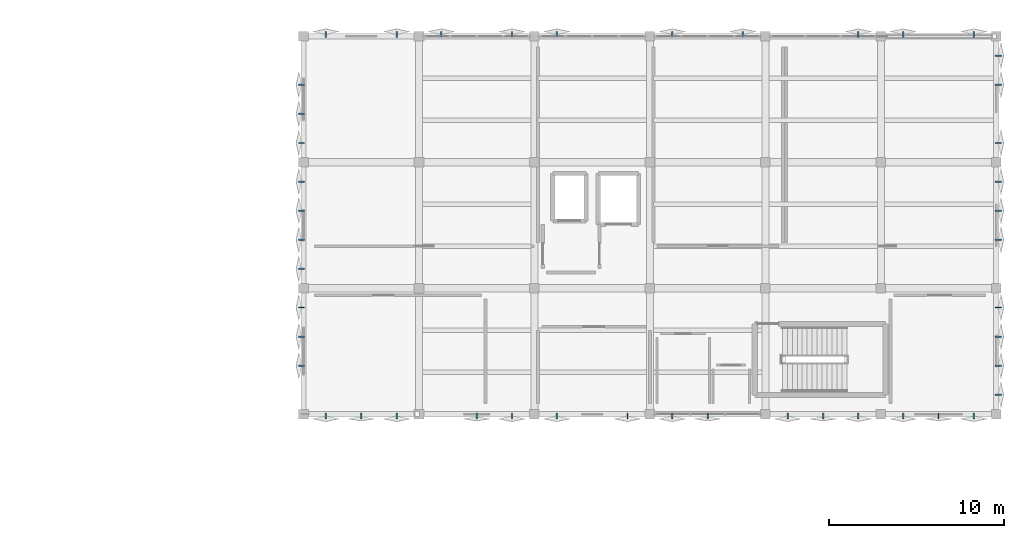
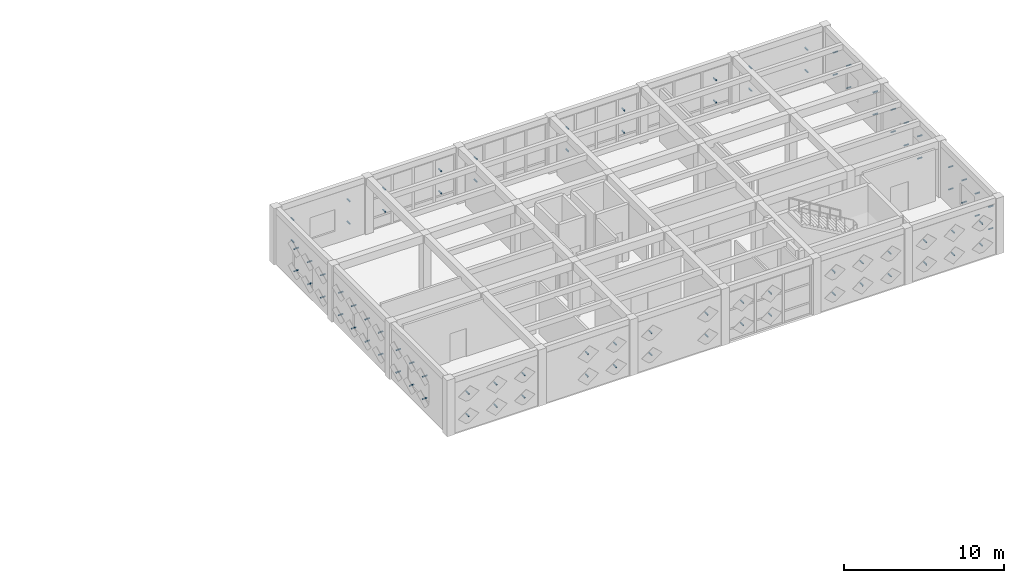
# One storey, part 33 of 36: 90 discrete accessories.
"""IFC4 building model written with IfcOpenShell, lengths in metres."""

from ifc_helpers import new_model, si_unit, direction, frame, origin, origin_2d, place, context, subcontext, project, spatial, hollow_rectangle, extrude, material, type_object, element, save


model = new_model("IFC4")

# Units and contexts
model_context = context("Model", 3, precision=1e-05, world=origin(), true_north=direction((0.0, 1.0)))
body_context = subcontext(model_context, "Body", "Model", "MODEL_VIEW")
ifc_project = project(units=[si_unit("LENGTHUNIT", "METRE"), si_unit("AREAUNIT", "SQUARE_METRE"), si_unit("VOLUMEUNIT", "CUBIC_METRE"), si_unit("PLANEANGLEUNIT", "RADIAN"), si_unit("MASSUNIT", "GRAM", prefix="KILO")], contexts=[model_context])

# Site, building, storey
site_placement = place(None, origin())
site = spatial("IfcSite", under=ifc_project, at=site_placement, CompositionType="ELEMENT")
building_placement = place(site_placement, origin())
building = spatial("IfcBuilding", under=site, at=building_placement, Name="Kharisveld Research Institute", CompositionType="ELEMENT")
storey_placement = place(building_placement, frame((0.0, 0.0, 27.60009765625)))
storey = spatial("IfcBuildingStorey", under=building, at=storey_placement, Name="L06", CompositionType="ELEMENT", Elevation=27.60009765625)

# Discrete accessories
ifc_material = material(Name="Steel S355JR", Category="steel")
discrete_accessory_type = type_object("IfcDiscreteAccessoryType", Name="BKT_ST_260", PredefinedType="BRACKET")
for number, where, z_axis, x_axis, name in (
    (1, (121.260009765625, 41.967529296875, 1.0498046875), (-1.0, 0.0, 0.0), (0.0, -1.0, 0.0), "BKT-SHD:V2:L06:W0:S1C0"),
    (2, (121.260009765625, 41.967529296875, 2.75), (-1.0, 0.0, 0.0), (0.0, -1.0, 0.0), "BKT-SHD:V2:L06:W0:S1C1"),
    (3, (121.260009765625, 43.632568359375, 1.0498046875), (-1.0, 0.0, 0.0), (0.0, -1.0, 0.0), "BKT-SHD:V2:L06:W0:S2C0"),
    (4, (121.260009765625, 43.632568359375, 2.75), (-1.0, 0.0, 0.0), (0.0, -1.0, 0.0), "BKT-SHD:V2:L06:W0:S2C1"),
    (5, (121.260009765625, 45.297607421875, 1.0498046875), (-1.0, 0.0, 0.0), (0.0, -1.0, 0.0), "BKT-SHD:V2:L06:W0:S3C0"),
    (6, (121.260009765625, 45.297607421875, 2.75), (-1.0, 0.0, 0.0), (0.0, -1.0, 0.0), "BKT-SHD:V2:L06:W0:S3C1"),
    (7, (121.260009765625, 47.50244140625, 1.0498046875), (-1.0, 0.0, 0.0), (0.0, -1.0, 0.0), "BKT-SHD:V2:L06:W1:S0C0"),
    (8, (121.260009765625, 47.50244140625, 2.75), (-1.0, 0.0, 0.0), (0.0, -1.0, 0.0), "BKT-SHD:V2:L06:W1:S0C1"),
    (9, (121.260009765625, 49.16748046875, 1.0498046875), (-1.0, 0.0, 0.0), (0.0, -1.0, 0.0), "BKT-SHD:V2:L06:W1:S1C0"),
    (10, (121.260009765625, 49.16748046875, 2.75), (-1.0, 0.0, 0.0), (0.0, -1.0, 0.0), "BKT-SHD:V2:L06:W1:S1C1"),
    (11, (121.260009765625, 50.83251953125, 1.0498046875), (-1.0, 0.0, 0.0), (0.0, -1.0, 0.0), "BKT-SHD:V2:L06:W1:S2C0"),
    (12, (121.260009765625, 50.83251953125, 2.75), (-1.0, 0.0, 0.0), (0.0, -1.0, 0.0), "BKT-SHD:V2:L06:W1:S2C1"),
    (13, (121.260009765625, 52.49755859375, 1.0498046875), (-1.0, 0.0, 0.0), (0.0, -1.0, 0.0), "BKT-SHD:V2:L06:W1:S3C0"),
    (14, (121.260009765625, 52.49755859375, 2.75), (-1.0, 0.0, 0.0), (0.0, -1.0, 0.0), "BKT-SHD:V2:L06:W1:S3C1"),
    (15, (121.260009765625, 54.702392578125, 1.0498046875), (-1.0, 0.0, 0.0), (0.0, -1.0, 0.0), "BKT-SHD:V2:L06:W2:S0C0"),
    (16, (121.260009765625, 54.702392578125, 2.75), (-1.0, 0.0, 0.0), (0.0, -1.0, 0.0), "BKT-SHD:V2:L06:W2:S0C1"),
    (17, (121.260009765625, 56.367431640625, 1.0498046875), (-1.0, 0.0, 0.0), (0.0, -1.0, 0.0), "BKT-SHD:V2:L06:W2:S1C0"),
    (18, (121.260009765625, 56.367431640625, 2.75), (-1.0, 0.0, 0.0), (0.0, -1.0, 0.0), "BKT-SHD:V2:L06:W2:S1C1"),
    (19, (121.260009765625, 58.032470703125, 1.0498046875), (-1.0, 0.0, 0.0), (0.0, -1.0, 0.0), "BKT-SHD:V2:L06:W2:S2C0"),
    (20, (121.260009765625, 58.032470703125, 2.75), (-1.0, 0.0, 0.0), (0.0, -1.0, 0.0), "BKT-SHD:V2:L06:W2:S2C1"),
    (21, (122.47998046875, 60.739990234375, 1.0498046875), (0.0, 1.0, 0.0), (-1.0, 0.0, 0.0), "BKT-SHD:V2:L06:N1:S0C0"),
    (22, (122.47998046875, 60.739990234375, 2.75), (0.0, 1.0, 0.0), (-1.0, 0.0, 0.0), "BKT-SHD:V2:L06:N1:S0C1"),
    (23, (126.52001953125, 60.739990234375, 1.0498046875), (0.0, 1.0, 0.0), (-1.0, 0.0, 0.0), "BKT-SHD:V2:L06:N1:S2C0"),
    (24, (126.52001953125, 60.739990234375, 2.75), (0.0, 1.0, 0.0), (-1.0, 0.0, 0.0), "BKT-SHD:V2:L06:N1:S2C1"),
    (25, (129.080078125, 60.739990234375, 1.0498046875), (0.0, 1.0, 0.0), (-1.0, 0.0, 0.0), "BKT-SHD:V2:L06:N2:S0C0"),
    (26, (129.080078125, 60.739990234375, 2.75), (0.0, 1.0, 0.0), (-1.0, 0.0, 0.0), "BKT-SHD:V2:L06:N2:S0C1"),
    (27, (133.1201171875, 60.739990234375, 1.0498046875), (0.0, 1.0, 0.0), (-1.0, 0.0, 0.0), "BKT-SHD:V2:L06:N2:S2C0"),
    (28, (133.1201171875, 60.739990234375, 2.75), (0.0, 1.0, 0.0), (-1.0, 0.0, 0.0), "BKT-SHD:V2:L06:N2:S2C1"),
    (29, (135.679931640625, 60.739990234375, 1.0498046875), (0.0, 1.0, 0.0), (-1.0, 0.0, 0.0), "BKT-SHD:V2:L06:N3:S0C0"),
    (30, (135.679931640625, 60.739990234375, 2.75), (0.0, 1.0, 0.0), (-1.0, 0.0, 0.0), "BKT-SHD:V2:L06:N3:S0C1"),
    (31, (142.280029296875, 60.739990234375, 1.0498046875), (0.0, 1.0, 0.0), (-1.0, 0.0, 0.0), "BKT-SHD:V2:L06:N4:S0C0"),
    (32, (142.280029296875, 60.739990234375, 2.75), (0.0, 1.0, 0.0), (-1.0, 0.0, 0.0), "BKT-SHD:V2:L06:N4:S0C1"),
    (33, (146.320068359375, 60.739990234375, 1.0498046875), (0.0, 1.0, 0.0), (-1.0, 0.0, 0.0), "BKT-SHD:V2:L06:N4:S2C0"),
    (34, (146.320068359375, 60.739990234375, 2.75), (0.0, 1.0, 0.0), (-1.0, 0.0, 0.0), "BKT-SHD:V2:L06:N4:S2C1"),
    (35, (152.919921875, 60.739990234375, 1.0498046875), (0.0, 1.0, 0.0), (-1.0, 0.0, 0.0), "BKT-SHD:V2:L06:N5:S2C0"),
    (36, (152.919921875, 60.739990234375, 2.75), (0.0, 1.0, 0.0), (-1.0, 0.0, 0.0), "BKT-SHD:V2:L06:N5:S2C1"),
    (37, (155.47998046875, 60.739990234375, 1.0498046875), (0.0, 1.0, 0.0), (-1.0, 0.0, 0.0), "BKT-SHD:V2:L06:N6:S0C0"),
    (38, (155.47998046875, 60.739990234375, 2.75), (0.0, 1.0, 0.0), (-1.0, 0.0, 0.0), "BKT-SHD:V2:L06:N6:S0C1"),
    (39, (159.52001953125, 60.739990234375, 1.0498046875), (0.0, 1.0, 0.0), (-1.0, 0.0, 0.0), "BKT-SHD:V2:L06:N6:S2C0"),
    (40, (159.52001953125, 60.739990234375, 2.75), (0.0, 1.0, 0.0), (-1.0, 0.0, 0.0), "BKT-SHD:V2:L06:N6:S2C1"),
    (41, (160.739990234375, 59.697509765625, 1.0498046875), (1.0, 0.0, 0.0), (0.0, 1.0, 0.0), "BKT-SHD:V2:L06:E3:S0C0"),
    (42, (160.739990234375, 59.697509765625, 2.75), (1.0, 0.0, 0.0), (0.0, 1.0, 0.0), "BKT-SHD:V2:L06:E3:S0C1"),
    (43, (160.739990234375, 58.032470703125, 1.0498046875), (1.0, 0.0, 0.0), (0.0, 1.0, 0.0), "BKT-SHD:V2:L06:E3:S1C0"),
    (44, (160.739990234375, 58.032470703125, 2.75), (1.0, 0.0, 0.0), (0.0, 1.0, 0.0), "BKT-SHD:V2:L06:E3:S1C1"),
    (45, (160.739990234375, 54.702392578125, 1.0498046875), (1.0, 0.0, 0.0), (0.0, 1.0, 0.0), "BKT-SHD:V2:L06:E3:S3C0"),
    (46, (160.739990234375, 54.702392578125, 2.75), (1.0, 0.0, 0.0), (0.0, 1.0, 0.0), "BKT-SHD:V2:L06:E3:S3C1"),
    (47, (160.739990234375, 52.49755859375, 1.0498046875), (1.0, 0.0, 0.0), (0.0, 1.0, 0.0), "BKT-SHD:V2:L06:E2:S0C0"),
    (48, (160.739990234375, 52.49755859375, 2.75), (1.0, 0.0, 0.0), (0.0, 1.0, 0.0), "BKT-SHD:V2:L06:E2:S0C1"),
    (49, (160.739990234375, 50.83251953125, 1.0498046875), (1.0, 0.0, 0.0), (0.0, 1.0, 0.0), "BKT-SHD:V2:L06:E2:S1C0"),
    (50, (160.739990234375, 50.83251953125, 2.75), (1.0, 0.0, 0.0), (0.0, 1.0, 0.0), "BKT-SHD:V2:L06:E2:S1C1"),
    (51, (160.739990234375, 49.16748046875, 1.0498046875), (1.0, 0.0, 0.0), (0.0, 1.0, 0.0), "BKT-SHD:V2:L06:E2:S2C0"),
    (52, (160.739990234375, 49.16748046875, 2.75), (1.0, 0.0, 0.0), (0.0, 1.0, 0.0), "BKT-SHD:V2:L06:E2:S2C1"),
    (53, (160.739990234375, 45.297607421875, 1.0498046875), (1.0, 0.0, 0.0), (0.0, 1.0, 0.0), "BKT-SHD:V2:L06:E1:S0C0"),
    (54, (160.739990234375, 45.297607421875, 2.75), (1.0, 0.0, 0.0), (0.0, 1.0, 0.0), "BKT-SHD:V2:L06:E1:S0C1"),
    (55, (160.739990234375, 43.632568359375, 1.0498046875), (1.0, 0.0, 0.0), (0.0, 1.0, 0.0), "BKT-SHD:V2:L06:E1:S1C0"),
    (56, (160.739990234375, 43.632568359375, 2.75), (1.0, 0.0, 0.0), (0.0, 1.0, 0.0), "BKT-SHD:V2:L06:E1:S1C1"),
    (57, (160.739990234375, 41.967529296875, 1.0498046875), (1.0, 0.0, 0.0), (0.0, 1.0, 0.0), "BKT-SHD:V2:L06:E1:S2C0"),
    (58, (160.739990234375, 41.967529296875, 2.75), (1.0, 0.0, 0.0), (0.0, 1.0, 0.0), "BKT-SHD:V2:L06:E1:S2C1"),
    (59, (160.739990234375, 40.302490234375, 1.0498046875), (1.0, 0.0, 0.0), (0.0, 1.0, 0.0), "BKT-SHD:V2:L06:E1:S3C0"),
    (60, (160.739990234375, 40.302490234375, 2.75), (1.0, 0.0, 0.0), (0.0, 1.0, 0.0), "BKT-SHD:V2:L06:E1:S3C1"),
    (61, (159.52001953125, 39.260009765625, 1.0498046875), (0.0, -1.0, 0.0), (1.0, 0.0, 0.0), "BKT-SHD:V2:L06:S7:S0C0"),
    (62, (159.52001953125, 39.260009765625, 2.75), (0.0, -1.0, 0.0), (1.0, 0.0, 0.0), "BKT-SHD:V2:L06:S7:S0C1"),
    (63, (157.5, 39.260009765625, 1.0498046875), (0.0, -1.0, 0.0), (1.0, 0.0, 0.0), "BKT-SHD:V2:L06:S7:S1C0"),
    (64, (157.5, 39.260009765625, 2.75), (0.0, -1.0, 0.0), (1.0, 0.0, 0.0), "BKT-SHD:V2:L06:S7:S1C1"),
    (65, (155.47998046875, 39.260009765625, 1.0498046875), (0.0, -1.0, 0.0), (1.0, 0.0, 0.0), "BKT-SHD:V2:L06:S7:S2C0"),
    (66, (155.47998046875, 39.260009765625, 2.75), (0.0, -1.0, 0.0), (1.0, 0.0, 0.0), "BKT-SHD:V2:L06:S7:S2C1"),
    (67, (152.919921875, 39.260009765625, 1.0498046875), (0.0, -1.0, 0.0), (1.0, 0.0, 0.0), "BKT-SHD:V2:L06:S6:S0C0"),
    (68, (152.919921875, 39.260009765625, 2.75), (0.0, -1.0, 0.0), (1.0, 0.0, 0.0), "BKT-SHD:V2:L06:S6:S0C1"),
    (69, (150.89990234375, 39.260009765625, 1.0498046875), (0.0, -1.0, 0.0), (1.0, 0.0, 0.0), "BKT-SHD:V2:L06:S6:S1C0"),
    (70, (150.89990234375, 39.260009765625, 2.75), (0.0, -1.0, 0.0), (1.0, 0.0, 0.0), "BKT-SHD:V2:L06:S6:S1C1"),
    (71, (148.8798828125, 39.260009765625, 1.0498046875), (0.0, -1.0, 0.0), (1.0, 0.0, 0.0), "BKT-SHD:V2:L06:S6:S2C0"),
    (72, (148.8798828125, 39.260009765625, 2.75), (0.0, -1.0, 0.0), (1.0, 0.0, 0.0), "BKT-SHD:V2:L06:S6:S2C1"),
    (73, (144.300048828125, 39.260009765625, 1.0498046875), (0.0, -1.0, 0.0), (1.0, 0.0, 0.0), "BKT-SHD:V2:L06:S5:S1C0"),
    (74, (144.300048828125, 39.260009765625, 2.75), (0.0, -1.0, 0.0), (1.0, 0.0, 0.0), "BKT-SHD:V2:L06:S5:S1C1"),
    (75, (142.280029296875, 39.260009765625, 1.0498046875), (0.0, -1.0, 0.0), (1.0, 0.0, 0.0), "BKT-SHD:V2:L06:S5:S2C0"),
    (76, (142.280029296875, 39.260009765625, 2.75), (0.0, -1.0, 0.0), (1.0, 0.0, 0.0), "BKT-SHD:V2:L06:S5:S2C1"),
    (77, (139.719970703125, 39.260009765625, 1.0498046875), (0.0, -1.0, 0.0), (1.0, 0.0, 0.0), "BKT-SHD:V2:L06:S4:S0C0"),
    (78, (139.719970703125, 39.260009765625, 2.75), (0.0, -1.0, 0.0), (1.0, 0.0, 0.0), "BKT-SHD:V2:L06:S4:S0C1"),
    (79, (135.679931640625, 39.260009765625, 1.0498046875), (0.0, -1.0, 0.0), (1.0, 0.0, 0.0), "BKT-SHD:V2:L06:S4:S2C0"),
    (80, (135.679931640625, 39.260009765625, 2.75), (0.0, -1.0, 0.0), (1.0, 0.0, 0.0), "BKT-SHD:V2:L06:S4:S2C1"),
    (81, (133.1201171875, 39.260009765625, 1.0498046875), (0.0, -1.0, 0.0), (1.0, 0.0, 0.0), "BKT-SHD:V2:L06:S3:S0C0"),
    (82, (133.1201171875, 39.260009765625, 2.75), (0.0, -1.0, 0.0), (1.0, 0.0, 0.0), "BKT-SHD:V2:L06:S3:S0C1"),
    (83, (131.10009765625, 39.260009765625, 1.0498046875), (0.0, -1.0, 0.0), (1.0, 0.0, 0.0), "BKT-SHD:V2:L06:S3:S1C0"),
    (84, (131.10009765625, 39.260009765625, 2.75), (0.0, -1.0, 0.0), (1.0, 0.0, 0.0), "BKT-SHD:V2:L06:S3:S1C1"),
    (85, (126.52001953125, 39.260009765625, 1.0498046875), (0.0, -1.0, 0.0), (1.0, 0.0, 0.0), "BKT-SHD:V2:L06:S2:S0C0"),
    (86, (126.52001953125, 39.260009765625, 2.75), (0.0, -1.0, 0.0), (1.0, 0.0, 0.0), "BKT-SHD:V2:L06:S2:S0C1"),
    (87, (124.5, 39.260009765625, 1.0498046875), (0.0, -1.0, 0.0), (1.0, 0.0, 0.0), "BKT-SHD:V2:L06:S2:S1C0"),
    (88, (124.5, 39.260009765625, 2.75), (0.0, -1.0, 0.0), (1.0, 0.0, 0.0), "BKT-SHD:V2:L06:S2:S1C1"),
    (89, (122.47998046875, 39.260009765625, 1.0498046875), (0.0, -1.0, 0.0), (1.0, 0.0, 0.0), "BKT-SHD:V2:L06:S2:S2C0"),
    (90, (122.47998046875, 39.260009765625, 2.75), (0.0, -1.0, 0.0), (1.0, 0.0, 0.0), "BKT-SHD:V2:L06:S2:S2C1"),
):
    element("IfcDiscreteAccessory", number, at=place(storey_placement, frame(where, z_axis=z_axis, x_axis=x_axis)), inside=storey, type_object=discrete_accessory_type, material=ifc_material, Name=name, ObjectType="BRACKET", PredefinedType="BRACKET", context=body_context, shape_type="SweptSolid", body=[
        extrude(hollow_rectangle(XDim=0.080078125, YDim=0.080078125, WallThickness=0.0048828125, at=origin_2d()), origin(), (0.0, 0.0, 1.0), 0.35009765625),
    ])

save(model, "model.ifc")
